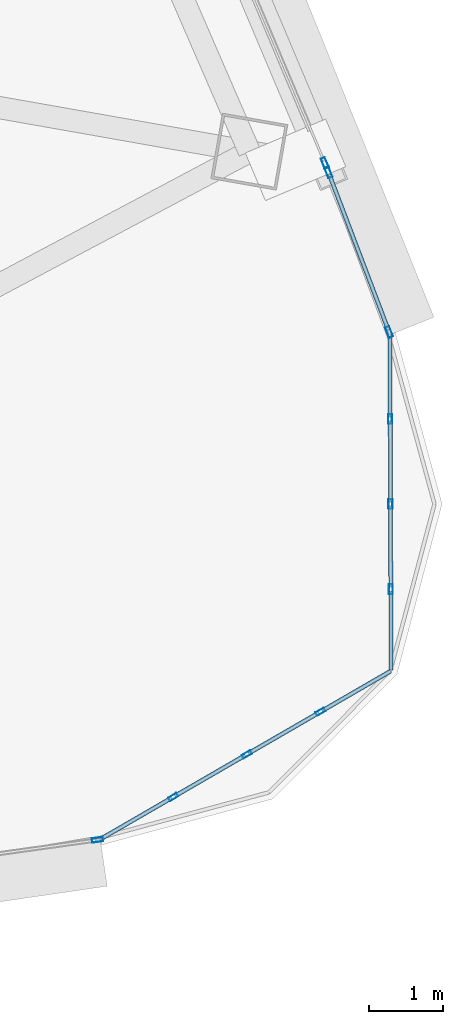
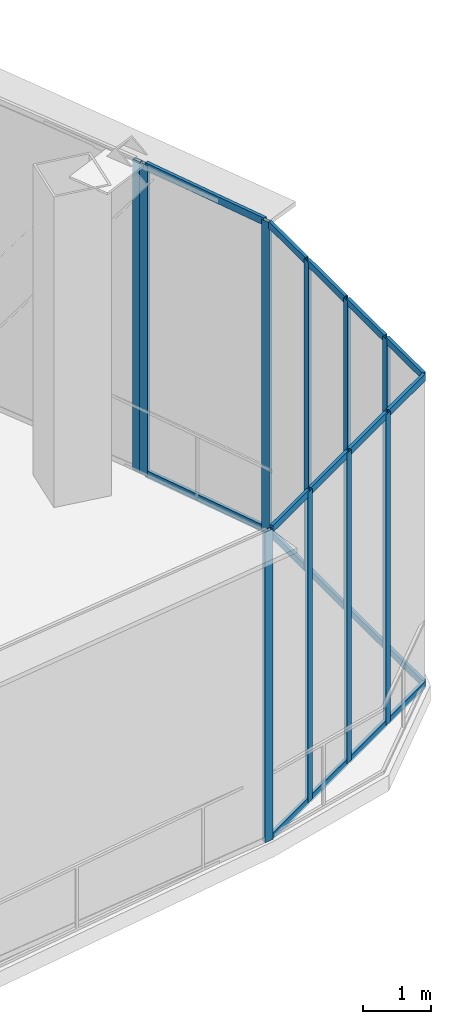
# One storey, part 23 of 38: 28 members, 5 elements without a shape of their own.
"""IFC4 building model written with IfcOpenShell, lengths in metres."""

import ifcopenshell
import ifcopenshell.guid

model = None  # the IFC model being written
_history = None  # IfcOwnerHistory: only IFC2X3 demands one
_inside = {}  # id of a spatial element -> (the spatial element, [elements in it])
_under = {}  # id of a project, library or spatial element -> (it, [spatial elements below it])
_declared = {}  # id of a project -> (the project, [libraries it declares])
_typed = {}  # id of a type object -> (the type object, [elements of that type])
_made_of = {}  # id of a material, layer set ... -> (it, [elements and type objects made of it])


def new_model(schema):
    """Start an empty IFC model of exactly this schema.

    Asked for "IFC4X3", IfcOpenShell would pick the latest addendum, in which some entities
    have other attributes; the version numbers below select the first issue.
    IFC2X3 requires an IfcOwnerHistory on every rooted entity: one is made here for all.
    """
    global model, _history
    if schema == "IFC4X3":
        model = ifcopenshell.file(schema_version=(4, 3, 0, 0))
    else:
        model = ifcopenshell.file(schema=schema)
    _inside.clear()
    _under.clear()
    _declared.clear()
    _typed.clear()
    _made_of.clear()
    _history = None
    if model.schema == "IFC2X3":
        org = make("IfcOrganization", Name="unknown")
        user = make(
            "IfcPersonAndOrganization",
            ThePerson=make("IfcPerson", FamilyName="unknown"),
            TheOrganization=org,
        )
        app = make(
            "IfcApplication",
            ApplicationDeveloper=org,
            Version="unknown",
            ApplicationFullName="unknown",
            ApplicationIdentifier="unknown",
        )
        _history = make(
            "IfcOwnerHistory",
            OwningUser=user,
            OwningApplication=app,
            ChangeAction="ADDED",
            CreationDate=0,
        )
    return model


def make(cls, **values):
    """One entity of the class cls with the attributes given. An attribute that is None is left unset."""
    return model.create_entity(
        cls, **{name: value for name, value in values.items() if value is not None}
    )


def rooted(cls, **values):
    """An entity with a GlobalId (a new one), such as an element, a storey or a relation."""
    return make(cls, GlobalId=ifcopenshell.guid.new(), OwnerHistory=_history, **values)


def si_unit(unit_type, name, prefix=None):
    """IfcSIUnit, for example si_unit("LENGTHUNIT", "METRE", prefix="MILLI")."""
    return make("IfcSIUnit", UnitType=unit_type, Prefix=prefix, Name=name)


def assignment(units):
    """IfcUnitAssignment: the units of a project."""
    return None if units is None else make("IfcUnitAssignment", Units=units)


def point(xyz):
    """IfcCartesianPoint."""
    return None if xyz is None else make("IfcCartesianPoint", Coordinates=xyz)


def direction(xyz):
    """IfcDirection."""
    return None if xyz is None else make("IfcDirection", DirectionRatios=xyz)


def frame(location, z_axis=None, x_axis=None):
    """IfcAxis2Placement3D, a coordinate frame: its origin and axes. An axis left out is left unset."""
    return make(
        "IfcAxis2Placement3D",
        Location=point(location),
        Axis=direction(z_axis),
        RefDirection=direction(x_axis),
    )


def frame_2d(location, x_axis=None):
    """IfcAxis2Placement2D, a coordinate frame in the plane: its origin and x axis."""
    return make(
        "IfcAxis2Placement2D", Location=point(location), RefDirection=direction(x_axis)
    )


def origin():
    """The frame at (0, 0, 0) with its axes left unset."""
    return frame((0.0, 0.0, 0.0))


def origin_2d():
    """The frame at (0, 0) in the plane with its x axis left unset."""
    return frame_2d((0.0, 0.0))


def place(relative_to, where):
    """IfcLocalPlacement: puts the frame where relative to a parent placement (None: the world)."""
    return make(
        "IfcLocalPlacement", PlacementRelTo=relative_to, RelativePlacement=where
    )


def context(
    kind, dimensions, precision=None, world=None, true_north=None, identifier=None
):
    """IfcGeometricRepresentationContext, for example the 3D "Model" context."""
    return make(
        "IfcGeometricRepresentationContext",
        ContextIdentifier=identifier,
        ContextType=kind,
        CoordinateSpaceDimension=dimensions,
        Precision=precision,
        WorldCoordinateSystem=world,
        TrueNorth=true_north,
    )


def subcontext(parent, identifier, kind, view, scale=None):
    """IfcGeometricRepresentationSubContext, for example "Body" below "Model"."""
    return make(
        "IfcGeometricRepresentationSubContext",
        ContextIdentifier=identifier,
        ContextType=kind,
        ParentContext=parent,
        TargetScale=scale,
        TargetView=view,
    )


def project(units=None, contexts=None):
    """IfcProject with its units and contexts."""
    return rooted(
        "IfcProject",
        Name="project",
        RepresentationContexts=contexts,
        UnitsInContext=assignment(units),
    )


def spatial(cls, under=None, at=None, **own):
    """A site, building, storey or space (cls), placed at a placement, below another one or the project."""
    s = rooted(cls, ObjectPlacement=at, **own)
    if under is not None:
        _under.setdefault(under.id(), (under, []))[1].append(s)
    return s


def profile(cls, at=None, kind="AREA", **sizes):
    """A parametric profile (cls). Its sizes go by their IFC names, for example OverallWidth=200.0."""
    return make(cls, ProfileType=kind, Position=at, **sizes)


def hollow_rectangle(**sizes):
    """IfcRectangleHollowProfileDef."""
    return profile("IfcRectangleHollowProfileDef", **sizes)


def extrude(swept, where, along, depth):
    """IfcExtrudedAreaSolid: the profile swept, set in the frame where, extruded along a direction by depth."""
    return make(
        "IfcExtrudedAreaSolid",
        SweptArea=swept,
        Position=where,
        ExtrudedDirection=direction(along),
        Depth=depth,
    )


def shape(context_of_items, identifier, shape_type, items):
    """IfcShapeRepresentation: the items that make up one representation, for example the "Body"."""
    return make(
        "IfcShapeRepresentation",
        ContextOfItems=context_of_items,
        RepresentationIdentifier=identifier,
        RepresentationType=shape_type,
        Items=items,
    )


def source(mapping_origin, context_of_items, identifier, shape_type, items):
    """IfcRepresentationMap: a shape defined once, which mapped items show again and again."""
    return make(
        "IfcRepresentationMap",
        MappingOrigin=mapping_origin,
        MappedRepresentation=shape(context_of_items, identifier, shape_type, items),
    )


def transform(
    local_origin,
    x_axis=None,
    y_axis=None,
    z_axis=None,
    scale=None,
    scale2=None,
    scale3=None,
    uniform=True,
):
    """IfcCartesianTransformationOperator3D, or its non-uniform kind. x_axis, y_axis, z_axis: its Axis1, 2, 3."""
    if uniform:
        return make(
            "IfcCartesianTransformationOperator3D",
            Axis1=direction(x_axis),
            Axis2=direction(y_axis),
            LocalOrigin=point(local_origin),
            Scale=scale,
            Axis3=direction(z_axis),
        )
    return make(
        "IfcCartesianTransformationOperator3DnonUniform",
        Axis1=direction(x_axis),
        Axis2=direction(y_axis),
        LocalOrigin=point(local_origin),
        Scale=scale,
        Axis3=direction(z_axis),
        Scale2=scale2,
        Scale3=scale3,
    )


def mapped(mapping_source, mapping_target):
    """IfcMappedItem: shows the shape of a source again, moved by a transform."""
    return make(
        "IfcMappedItem", MappingSource=mapping_source, MappingTarget=mapping_target
    )


def material(Name=None, Category=None):
    """IfcMaterial."""
    return make("IfcMaterial", Name=Name, Category=Category)


def layer(
    of_material, thickness, ventilated=None, Name=None, Category=None, Priority=None
):
    """IfcMaterialLayer: one layer of a wall or slab, of a material (None: an air gap)."""
    return make(
        "IfcMaterialLayer",
        Material=of_material,
        LayerThickness=thickness,
        IsVentilated=ventilated,
        Name=Name,
        Category=Category,
        Priority=Priority,
    )


def layer_set(layers, Name=None):
    """IfcMaterialLayerSet."""
    return make("IfcMaterialLayerSet", MaterialLayers=layers, LayerSetName=Name)


def material_profile(
    of_material, cross_section, Name=None, Category=None, Priority=None
):
    """IfcMaterialProfile: a cross section and its material."""
    return make(
        "IfcMaterialProfile",
        Name=Name,
        Material=of_material,
        Profile=cross_section,
        Priority=Priority,
        Category=Category,
    )


def profile_set(profiles, Name=None, composite=None):
    """IfcMaterialProfileSet."""
    return make(
        "IfcMaterialProfileSet",
        Name=Name,
        MaterialProfiles=profiles,
        CompositeProfile=composite,
    )


def made_of(thing, what):
    """Note that an element or type object is made of a material, layer set ...; save() writes the relation."""
    if what is not None:
        _made_of.setdefault(what.id(), (what, []))[1].append(thing)
    return thing


def type_object(cls, material=None, **own):
    """A type object (cls), such as IfcWallType, which elements share."""
    return made_of(rooted(cls, **own), material)


def element(
    cls,
    number,
    at=None,
    inside=None,
    cuts=None,
    type_object=None,
    material=None,
    context=None,
    identifier="Body",
    shape_type=None,
    held_by="IfcProductDefinitionShape",
    body=None,
    shapes=None,
    **own,
):
    """One element of the class cls, such as IfcWall. Its Tag is "e" and its number.

    at: its placement. inside: the storey or other place that contains it. cuts: it is an
    opening in that element (IfcRelVoidsElement). A single representation is given by context,
    identifier, shape_type and body (its items); several are given by shapes. held_by: the class
    of the entity that holds the representations. save() writes the other relations.
    """
    e = rooted(cls, Tag="e%d" % number, ObjectPlacement=at, **own)
    if body is not None:
        shapes = [shape(context, identifier, shape_type, body)]
    if shapes is not None:
        e.Representation = make(held_by, Representations=shapes)
    if inside is not None:
        _inside.setdefault(inside.id(), (inside, []))[1].append(e)
    if cuts is not None:
        rooted(
            "IfcRelVoidsElement", RelatingBuildingElement=cuts, RelatedOpeningElement=e
        )
    if type_object is not None:
        _typed.setdefault(type_object.id(), (type_object, []))[1].append(e)
    return made_of(e, material)


def aggregate(whole, parts):
    """IfcRelAggregates: a whole, such as a stair, and the parts it consists of."""
    return rooted("IfcRelAggregates", RelatingObject=whole, RelatedObjects=parts)


def save(model, path):
    """Write the relations noted so far, then the file.

    IfcRelAggregates (storeys below a building ...), IfcRelContainedInSpatialStructure (elements
    in a storey), IfcRelDefinesByType, IfcRelAssociatesMaterial and IfcRelDeclares: one each for
    every whole, place, type object, material and project.
    """
    for whole, parts in _under.values():
        aggregate(whole, parts)
    for where, things in _inside.values():
        rooted(
            "IfcRelContainedInSpatialStructure",
            RelatedElements=things,
            RelatingStructure=where,
        )
    for kind, things in _typed.values():
        rooted("IfcRelDefinesByType", RelatedObjects=things, RelatingType=kind)
    for what, things in _made_of.values():
        rooted("IfcRelAssociatesMaterial", RelatedObjects=things, RelatingMaterial=what)
    for by, libraries in _declared.values():
        rooted("IfcRelDeclares", RelatingContext=by, RelatedDefinitions=libraries)
    model.write(path)


model = new_model("IFC4")

# Units and contexts
model_context = context("Model", 3, precision=1e-05, world=origin(), true_north=direction((0.0, 1.0)))
body_context = subcontext(model_context, "Body", "Model", "MODEL_VIEW")
ifc_project = project(units=[si_unit("LENGTHUNIT", "METRE"), si_unit("AREAUNIT", "SQUARE_METRE"), si_unit("VOLUMEUNIT", "CUBIC_METRE"), si_unit("PLANEANGLEUNIT", "RADIAN"), si_unit("MASSUNIT", "GRAM", prefix="KILO"), si_unit("THERMODYNAMICTEMPERATUREUNIT", "KELVIN"), si_unit("POWERUNIT", "WATT")], contexts=[model_context])

# Site, building, storey
site_placement = place(None, origin())
site = spatial("IfcSite", under=ifc_project, at=site_placement, CompositionType="ELEMENT")
building_placement = place(site_placement, origin())
building = spatial("IfcBuilding", under=site, at=building_placement, Name="Yunzhuo Pagoda Commons", CompositionType="ELEMENT")
storey_placement = place(building_placement, frame((0.0, 0.0, 218.9599609375)))
storey = spatial("IfcBuildingStorey", under=building, at=storey_placement, Name="L55", CompositionType="ELEMENT", Elevation=218.9599609375)

# Curtain wall, member
ifc_material = material(Name="Anodized aluminium 6063-T6", Category="aluminium")
ifc_layer_1 = layer(ifc_material, 0.14990234375)
ifc_layer_set_1 = layer_set([ifc_layer_1], Name="Anodized aluminium 6063-T6")
curtain_wall_type_1 = type_object("IfcCurtainWallType", Name="CW-MID Mid-Zone Ribbon Curtain Wall", PredefinedType="NOTDEFINED", material=ifc_layer_set_1)
curtain_wall_1_placement = place(storey_placement, origin())
curtain_wall_1 = element("IfcCurtainWall", 1, at=curtain_wall_1_placement, inside=storey, type_object=curtain_wall_type_1, Name="L55 curtain wall CW-L55-F1B5", PredefinedType="NOTDEFINED")
ifc_material_profile_1 = material_profile(ifc_material, hollow_rectangle(XDim=0.06005859375, YDim=0.14990234375, WallThickness=0.00390625, at=origin_2d()), Name="Anodized aluminium 6063-T6")
ifc_profile_set_1 = profile_set([ifc_material_profile_1], Name="Anodized aluminium 6063-T6")
member_type_1 = type_object("IfcMemberType", Name="CW-MID-M Mullion RHS 150x60x4", PredefinedType="MULLION", material=ifc_profile_set_1)
shared_shape_1 = source(origin(), body_context, "Body", "SweptSolid", [
    extrude(hollow_rectangle(XDim=0.06005859375, YDim=0.14990234375, WallThickness=0.00390625, at=origin_2d()), origin(), (0.0, 0.0, 1.0), 5.570068359375),
])
member_1_placement = place(storey_placement, frame((81.15087890625, 18.177734375, 0.0), z_axis=(0.0, 0.0, 1.0), x_axis=(-0.138332060232, 0.990385905146, 0.0)))
member_1 = element("IfcMember", 2, at=member_1_placement, type_object=member_type_1, Name="CW mullion 2", PredefinedType="MULLION", context=body_context, shape_type="MappedRepresentation", body=[
    mapped(shared_shape_1, transform((0.0, 0.0, 0.0), scale=1.0)),
])
aggregate(curtain_wall_1, [member_1])

curtain_wall_2_placement = place(storey_placement, origin())
curtain_wall_2 = element("IfcCurtainWall", 3, at=curtain_wall_2_placement, inside=storey, type_object=curtain_wall_type_1, Name="L55 curtain wall CW-L55-F2B2", PredefinedType="NOTDEFINED")
member_2_placement = place(storey_placement, frame((84.228759765625, 27.33740234375, 0.0), z_axis=(0.0, 0.0, 1.0), x_axis=(-0.921188379256, -0.389116910355, 0.0)))
member_2 = element("IfcMember", 4, at=member_2_placement, type_object=member_type_1, Name="CW mullion 1", PredefinedType="MULLION", context=body_context, shape_type="MappedRepresentation", body=[
    mapped(shared_shape_1, transform((0.0, 0.0, 0.0), scale=1.0)),
])
aggregate(curtain_wall_2, [member_2])

# Curtain wall, members
curtain_wall_3_placement = place(storey_placement, origin())
curtain_wall_3 = element("IfcCurtainWall", 5, at=curtain_wall_3_placement, inside=storey, type_object=curtain_wall_type_1, Name="L55 curtain wall CW-L55-F2B1", PredefinedType="NOTDEFINED")
member_3_placement = place(storey_placement, frame((85.098388671875, 25.051025390625, 0.0), z_axis=(0.0, 0.0, 1.0), x_axis=(-0.934882697844, -0.354956816067, 0.0)))
member_3 = element("IfcMember", 6, at=member_3_placement, type_object=member_type_1, Name="CW mullion 1", PredefinedType="MULLION", context=body_context, shape_type="MappedRepresentation", body=[
    mapped(shared_shape_1, transform((0.0, 0.0, 0.0), scale=1.0)),
])
member_4_placement = place(storey_placement, frame((84.27783203125, 27.211669921875, 0.0), z_axis=(0.0, 0.0, 1.0), x_axis=(-0.934882697844, -0.354956816067, 0.0)))
member_4 = element("IfcMember", 7, at=member_4_placement, type_object=member_type_1, Name="CW mullion 2", PredefinedType="MULLION", context=body_context, shape_type="MappedRepresentation", body=[
    mapped(shared_shape_1, transform((0.0, 0.0, 0.0), scale=1.0)),
])
ifc_material_profile_2 = material_profile(ifc_material, hollow_rectangle(XDim=0.054931640625, YDim=0.1298828125, WallThickness=0.00341796875, at=origin_2d()), Name="Anodized aluminium 6063-T6")
ifc_profile_set_2 = profile_set([ifc_material_profile_2], Name="Anodized aluminium 6063-T6")
member_type_2 = type_object("IfcMemberType", Name="CW-MID-T Transom RHS 130x55x3.5", PredefinedType="USERDEFINED", material=ifc_profile_set_2)
shared_shape_2 = source(origin(), body_context, "Body", "SweptSolid", [
    extrude(hollow_rectangle(XDim=0.054931640625, YDim=0.1298828125, WallThickness=0.00341796875, at=origin_2d()), origin(), (0.0, 0.0, 1.0), 2.2509765625),
])
member_5_placement = place(storey_placement, frame((85.08740234375, 25.0791015625, 0.027587890625), z_axis=(-0.354971347098, 0.934877180564, 0.0), x_axis=(-0.934877180564, -0.354971347098, 0.0)))
member_5 = element("IfcMember", 8, at=member_5_placement, type_object=member_type_2, Name="CW transom 1.1", ObjectType="TRANSOM", PredefinedType="USERDEFINED", context=body_context, shape_type="MappedRepresentation", body=[
    mapped(shared_shape_2, transform((0.0, 0.0, 0.0), scale=1.0)),
])
member_6_placement = place(storey_placement, frame((85.08740234375, 25.0791015625, 5.54248046875), z_axis=(-0.354971347098, 0.934877180564, 0.0), x_axis=(-0.934877180564, -0.354971347098, 0.0)))
member_6 = element("IfcMember", 9, at=member_6_placement, type_object=member_type_2, Name="CW transom 1.2", ObjectType="TRANSOM", PredefinedType="USERDEFINED", context=body_context, shape_type="MappedRepresentation", body=[
    mapped(shared_shape_2, transform((0.0, 0.0, 0.0), scale=1.0)),
])
aggregate(curtain_wall_3, [member_3, member_4, member_5, member_6])

ifc_layer_2 = layer(ifc_material, 0.1298828125)
ifc_layer_set_2 = layer_set([ifc_layer_2], Name="Anodized aluminium 6063-T6")
curtain_wall_type_2 = type_object("IfcCurtainWallType", Name="CW-VTX Rounded Corner Curtain Wall", PredefinedType="NOTDEFINED", material=ifc_layer_set_2)
curtain_wall_4_placement = place(storey_placement, origin())
curtain_wall_4 = element("IfcCurtainWall", 10, at=curtain_wall_4_placement, inside=storey, type_object=curtain_wall_type_2, Name="L55 curtain wall CW-L55-VTX2S1", PredefinedType="NOTDEFINED")
ifc_material_profile_3 = material_profile(ifc_material, hollow_rectangle(XDim=0.054931640625, YDim=0.1298828125, WallThickness=0.00341796875, at=origin_2d()), Name="Anodized aluminium 6063-T6")
ifc_profile_set_3 = profile_set([ifc_material_profile_3], Name="Anodized aluminium 6063-T6")
member_type_3 = type_object("IfcMemberType", Name="CW-VTX-M Mullion RHS 130x55x3.5", PredefinedType="MULLION", material=ifc_profile_set_3)
shared_shape_3 = source(origin(), body_context, "Body", "SweptSolid", [
    extrude(hollow_rectangle(XDim=0.054931640625, YDim=0.1298828125, WallThickness=0.00341796875, at=origin_2d()), origin(), (0.0, 0.0, 1.0), 5.570068359375),
])
member_7_placement = place(storey_placement, frame((82.1767578125, 18.758544921875, 0.0), z_axis=(0.0, 0.0, 1.0), x_axis=(-0.501026852291, 0.865431738084, 0.0)))
member_7 = element("IfcMember", 11, at=member_7_placement, type_object=member_type_3, Name="CW mullion 2", PredefinedType="MULLION", context=body_context, shape_type="MappedRepresentation", body=[
    mapped(shared_shape_3, transform((0.0, 0.0, 0.0), scale=1.0)),
])
member_8_placement = place(storey_placement, frame((83.1728515625, 19.335205078125, 0.0), z_axis=(0.0, 0.0, 1.0), x_axis=(-0.501026852291, 0.865431738084, 0.0)))
member_8 = element("IfcMember", 12, at=member_8_placement, type_object=member_type_3, Name="CW mullion 3", PredefinedType="MULLION", context=body_context, shape_type="MappedRepresentation", body=[
    mapped(shared_shape_3, transform((0.0, 0.0, 0.0), scale=1.0)),
])
member_9_placement = place(storey_placement, frame((84.1689453125, 19.911865234375, 0.0), z_axis=(0.0, 0.0, 1.0), x_axis=(-0.501026852291, 0.865431738084, 0.0)))
member_9 = element("IfcMember", 13, at=member_9_placement, type_object=member_type_3, Name="CW mullion 4", PredefinedType="MULLION", context=body_context, shape_type="MappedRepresentation", body=[
    mapped(shared_shape_3, transform((0.0, 0.0, 0.0), scale=1.0)),
])

curtain_wall_5_placement = place(storey_placement, origin())
curtain_wall_5 = element("IfcCurtainWall", 14, at=curtain_wall_5_placement, inside=storey, type_object=curtain_wall_type_2, Name="L55 curtain wall CW-L55-VTX2S2", PredefinedType="NOTDEFINED")
member_10_placement = place(storey_placement, frame((85.12109375, 21.570068359375, 0.0), z_axis=(0.0, 0.0, 1.0), x_axis=(-0.999993578107, -0.003583817119, 0.0)))
member_10 = element("IfcMember", 15, at=member_10_placement, type_object=member_type_3, Name="CW mullion 2", PredefinedType="MULLION", context=body_context, shape_type="MappedRepresentation", body=[
    mapped(shared_shape_3, transform((0.0, 0.0, 0.0), scale=1.0)),
])
member_11_placement = place(storey_placement, frame((85.116943359375, 22.72119140625, 0.0), z_axis=(0.0, 0.0, 1.0), x_axis=(-0.999993578107, -0.003583817119, 0.0)))
member_11 = element("IfcMember", 16, at=member_11_placement, type_object=member_type_3, Name="CW mullion 3", PredefinedType="MULLION", context=body_context, shape_type="MappedRepresentation", body=[
    mapped(shared_shape_3, transform((0.0, 0.0, 0.0), scale=1.0)),
])
member_12_placement = place(storey_placement, frame((85.11279296875, 23.8720703125, 0.0), z_axis=(0.0, 0.0, 1.0), x_axis=(-0.999993578107, -0.003583817119, 0.0)))
member_12 = element("IfcMember", 17, at=member_12_placement, type_object=member_type_3, Name="CW mullion 4", PredefinedType="MULLION", context=body_context, shape_type="MappedRepresentation", body=[
    mapped(shared_shape_3, transform((0.0, 0.0, 0.0), scale=1.0)),
])

# Member
ifc_material_profile_4 = material_profile(ifc_material, hollow_rectangle(XDim=0.054931640625, YDim=0.1201171875, WallThickness=0.00341796875, at=origin_2d()), Name="Anodized aluminium 6063-T6")
ifc_profile_set_4 = profile_set([ifc_material_profile_4], Name="Anodized aluminium 6063-T6")
member_type_4 = type_object("IfcMemberType", Name="CW-VTX-T Transom RHS 120x55x3.5", PredefinedType="USERDEFINED", material=ifc_profile_set_4)
shared_shape_4 = source(origin(), body_context, "Body", "SweptSolid", [
    extrude(hollow_rectangle(XDim=0.054931640625, YDim=0.1201171875, WallThickness=0.00341796875, at=origin_2d()), origin(), (0.0, 0.0, 1.0), 1.068359375),
])
member_13_placement = place(storey_placement, frame((81.228515625, 18.20947265625, 0.027587890625), z_axis=(0.865374130801, 0.501126345087, 0.0), x_axis=(-0.501126345087, 0.865374130801, 0.0)))
member_13 = element("IfcMember", 18, at=member_13_placement, type_object=member_type_4, Name="CW transom 1.1", ObjectType="TRANSOM", PredefinedType="USERDEFINED", context=body_context, shape_type="MappedRepresentation", body=[
    mapped(shared_shape_4, transform((0.0, 0.0, 0.0), scale=1.0)),
])

member_14_placement = place(storey_placement, frame((81.228515625, 18.20947265625, 5.54248046875), z_axis=(0.865374130801, 0.501126345087, 0.0), x_axis=(-0.501126345087, 0.865374130801, 0.0)))
member_14 = element("IfcMember", 19, at=member_14_placement, type_object=member_type_4, Name="CW transom 1.2", ObjectType="TRANSOM", PredefinedType="USERDEFINED", context=body_context, shape_type="MappedRepresentation", body=[
    mapped(shared_shape_4, transform((0.0, 0.0, 0.0), scale=1.0)),
])

member_15_placement = place(storey_placement, frame((84.19287109375, 19.92578125, 0.027587890625), z_axis=(0.865374130801, 0.501126345087, 0.0), x_axis=(-0.501126345087, 0.865374130801, 0.0)))
member_15 = element("IfcMember", 20, at=member_15_placement, type_object=member_type_4, Name="CW transom 4.1", ObjectType="TRANSOM", PredefinedType="USERDEFINED", context=body_context, shape_type="MappedRepresentation", body=[
    mapped(shared_shape_4, transform((0.0, 0.0, 0.0), scale=1.0)),
])

member_16_placement = place(storey_placement, frame((84.19287109375, 19.92578125, 5.54248046875), z_axis=(0.865374130801, 0.501126345087, 0.0), x_axis=(-0.501126345087, 0.865374130801, 0.0)))
member_16 = element("IfcMember", 21, at=member_16_placement, type_object=member_type_4, Name="CW transom 4.2", ObjectType="TRANSOM", PredefinedType="USERDEFINED", context=body_context, shape_type="MappedRepresentation", body=[
    mapped(shared_shape_4, transform((0.0, 0.0, 0.0), scale=1.0)),
])

member_17_placement = place(storey_placement, frame((85.11279296875, 23.899658203125, 0.027587890625), z_axis=(-0.00365628269, 0.999993315776, 0.0), x_axis=(-0.999993315776, -0.00365628269, 0.0)))
member_17 = element("IfcMember", 22, at=member_17_placement, type_object=member_type_4, Name="CW transom 4.1", ObjectType="TRANSOM", PredefinedType="USERDEFINED", context=body_context, shape_type="MappedRepresentation", body=[
    mapped(shared_shape_4, transform((0.0, 0.0, 0.0), scale=1.0)),
])

member_18_placement = place(storey_placement, frame((85.11279296875, 23.899658203125, 5.54248046875), z_axis=(-0.00365628269, 0.999993315776, 0.0), x_axis=(-0.999993315776, -0.00365628269, 0.0)))
member_18 = element("IfcMember", 23, at=member_18_placement, type_object=member_type_4, Name="CW transom 4.2", ObjectType="TRANSOM", PredefinedType="USERDEFINED", context=body_context, shape_type="MappedRepresentation", body=[
    mapped(shared_shape_4, transform((0.0, 0.0, 0.0), scale=1.0)),
])

shared_shape_5 = source(origin(), body_context, "Body", "SweptSolid", [
    extrude(hollow_rectangle(XDim=0.054931640625, YDim=0.1201171875, WallThickness=0.00341796875, at=origin_2d()), origin(), (0.0, 0.0, 1.0), 1.095947265625),
])
member_19_placement = place(storey_placement, frame((82.20068359375, 18.7724609375, 0.027587890625), z_axis=(0.86544662027, 0.501001145171, 0.0), x_axis=(-0.501001145171, 0.86544662027, 0.0)))
member_19 = element("IfcMember", 24, at=member_19_placement, type_object=member_type_4, Name="CW transom 2.1", ObjectType="TRANSOM", PredefinedType="USERDEFINED", context=body_context, shape_type="MappedRepresentation", body=[
    mapped(shared_shape_5, transform((0.0, 0.0, 0.0), scale=1.0)),
])

member_20_placement = place(storey_placement, frame((82.20068359375, 18.7724609375, 5.54248046875), z_axis=(0.86544662027, 0.501001145171, 0.0), x_axis=(-0.501001145171, 0.86544662027, 0.0)))
member_20 = element("IfcMember", 25, at=member_20_placement, type_object=member_type_4, Name="CW transom 2.2", ObjectType="TRANSOM", PredefinedType="USERDEFINED", context=body_context, shape_type="MappedRepresentation", body=[
    mapped(shared_shape_5, transform((0.0, 0.0, 0.0), scale=1.0)),
])

member_21_placement = place(storey_placement, frame((83.19677734375, 19.34912109375, 0.027587890625), z_axis=(0.86544662027, 0.501001145171, 0.0), x_axis=(-0.501001145171, 0.86544662027, 0.0)))
member_21 = element("IfcMember", 26, at=member_21_placement, type_object=member_type_4, Name="CW transom 3.1", ObjectType="TRANSOM", PredefinedType="USERDEFINED", context=body_context, shape_type="MappedRepresentation", body=[
    mapped(shared_shape_5, transform((0.0, 0.0, 0.0), scale=1.0)),
])

member_22_placement = place(storey_placement, frame((83.19677734375, 19.34912109375, 5.54248046875), z_axis=(0.86544662027, 0.501001145171, 0.0), x_axis=(-0.501001145171, 0.86544662027, 0.0)))
member_22 = element("IfcMember", 27, at=member_22_placement, type_object=member_type_4, Name="CW transom 3.2", ObjectType="TRANSOM", PredefinedType="USERDEFINED", context=body_context, shape_type="MappedRepresentation", body=[
    mapped(shared_shape_5, transform((0.0, 0.0, 0.0), scale=1.0)),
])

aggregate(curtain_wall_4, [member_7, member_8, member_9, member_13, member_14, member_19, member_20, member_21, member_22, member_15, member_16])

member_23_placement = place(storey_placement, frame((85.116943359375, 22.74853515625, 0.027587890625), z_axis=(-0.003564245571, 0.999993648057, 0.0), x_axis=(-0.999993648057, -0.003564245571, 0.0)))
member_23 = element("IfcMember", 28, at=member_23_placement, type_object=member_type_4, Name="CW transom 3.1", ObjectType="TRANSOM", PredefinedType="USERDEFINED", context=body_context, shape_type="MappedRepresentation", body=[
    mapped(shared_shape_5, transform((0.0, 0.0, 0.0), scale=1.0)),
])

member_24_placement = place(storey_placement, frame((85.116943359375, 22.74853515625, 5.54248046875), z_axis=(-0.003564245571, 0.999993648057, 0.0), x_axis=(-0.999993648057, -0.003564245571, 0.0)))
member_24 = element("IfcMember", 29, at=member_24_placement, type_object=member_type_4, Name="CW transom 3.2", ObjectType="TRANSOM", PredefinedType="USERDEFINED", context=body_context, shape_type="MappedRepresentation", body=[
    mapped(shared_shape_5, transform((0.0, 0.0, 0.0), scale=1.0)),
])

shared_shape_6 = source(origin(), body_context, "Body", "SweptSolid", [
    extrude(hollow_rectangle(XDim=0.054931640625, YDim=0.1201171875, WallThickness=0.00341796875, at=origin_2d()), origin(), (0.0, 0.0, 1.0), 1.09619140625),
])
member_25_placement = place(storey_placement, frame((85.12109375, 21.59765625, 0.027587890625), z_axis=(-0.003786164399, 0.999992832454, 0.0), x_axis=(-0.999992832454, -0.003786164399, 0.0)))
member_25 = element("IfcMember", 30, at=member_25_placement, type_object=member_type_4, Name="CW transom 2.1", ObjectType="TRANSOM", PredefinedType="USERDEFINED", context=body_context, shape_type="MappedRepresentation", body=[
    mapped(shared_shape_6, transform((0.0, 0.0, 0.0), scale=1.0)),
])

member_26_placement = place(storey_placement, frame((85.12109375, 21.59765625, 5.54248046875), z_axis=(-0.003786164399, 0.999992832454, 0.0), x_axis=(-0.999992832454, -0.003786164399, 0.0)))
member_26 = element("IfcMember", 31, at=member_26_placement, type_object=member_type_4, Name="CW transom 2.2", ObjectType="TRANSOM", PredefinedType="USERDEFINED", context=body_context, shape_type="MappedRepresentation", body=[
    mapped(shared_shape_6, transform((0.0, 0.0, 0.0), scale=1.0)),
])

shared_shape_7 = source(origin(), body_context, "Body", "SweptSolid", [
    extrude(hollow_rectangle(XDim=0.054931640625, YDim=0.1201171875, WallThickness=0.00341796875, at=origin_2d()), origin(), (0.0, 0.0, 1.0), 1.068603515625),
])
member_27_placement = place(storey_placement, frame((85.125, 20.47412109375, 0.027587890625), z_axis=(-0.003655447361, 0.99999331883, 0.0), x_axis=(-0.99999331883, -0.003655447361, 0.0)))
member_27 = element("IfcMember", 32, at=member_27_placement, type_object=member_type_4, Name="CW transom 1.1", ObjectType="TRANSOM", PredefinedType="USERDEFINED", context=body_context, shape_type="MappedRepresentation", body=[
    mapped(shared_shape_7, transform((0.0, 0.0, 0.0), scale=1.0)),
])

member_28_placement = place(storey_placement, frame((85.125, 20.47412109375, 5.54248046875), z_axis=(-0.003655447361, 0.99999331883, 0.0), x_axis=(-0.99999331883, -0.003655447361, 0.0)))
member_28 = element("IfcMember", 33, at=member_28_placement, type_object=member_type_4, Name="CW transom 1.2", ObjectType="TRANSOM", PredefinedType="USERDEFINED", context=body_context, shape_type="MappedRepresentation", body=[
    mapped(shared_shape_7, transform((0.0, 0.0, 0.0), scale=1.0)),
])

aggregate(curtain_wall_5, [member_10, member_11, member_12, member_27, member_28, member_25, member_26, member_23, member_24, member_17, member_18])

save(model, "model.ifc")
